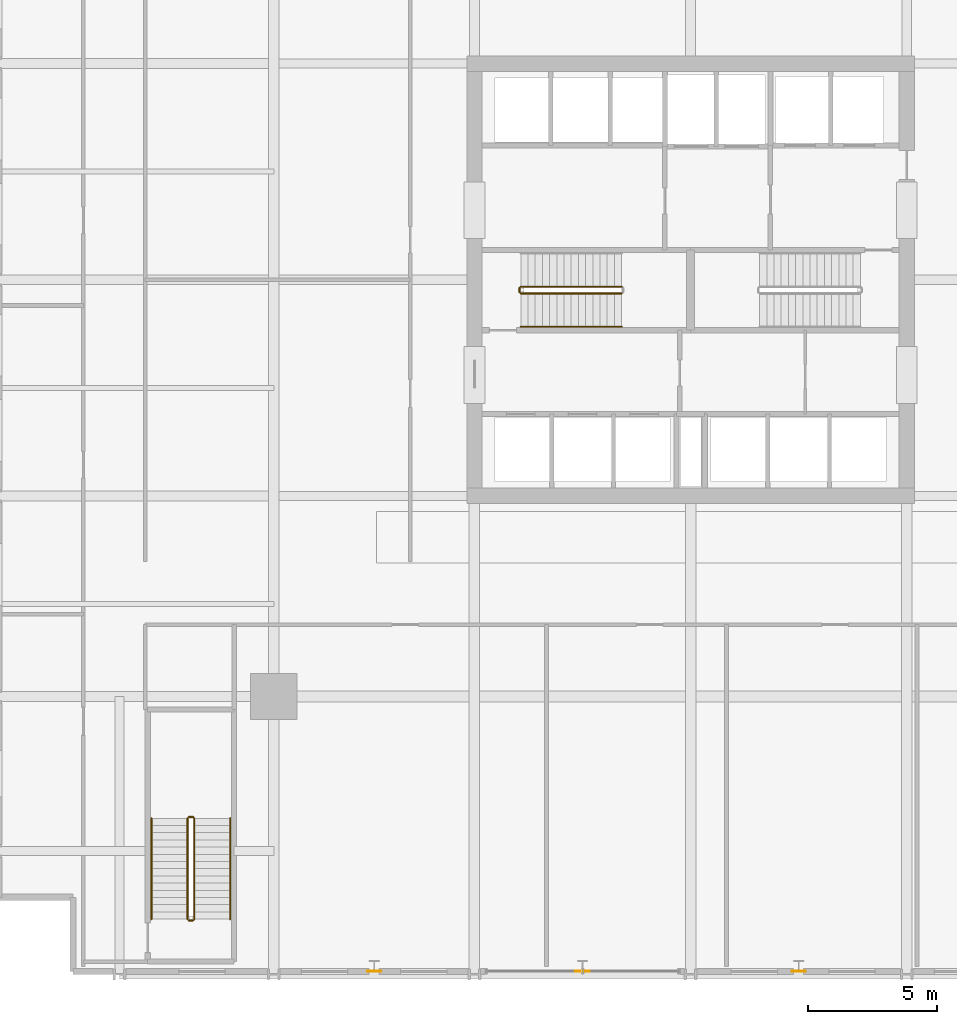
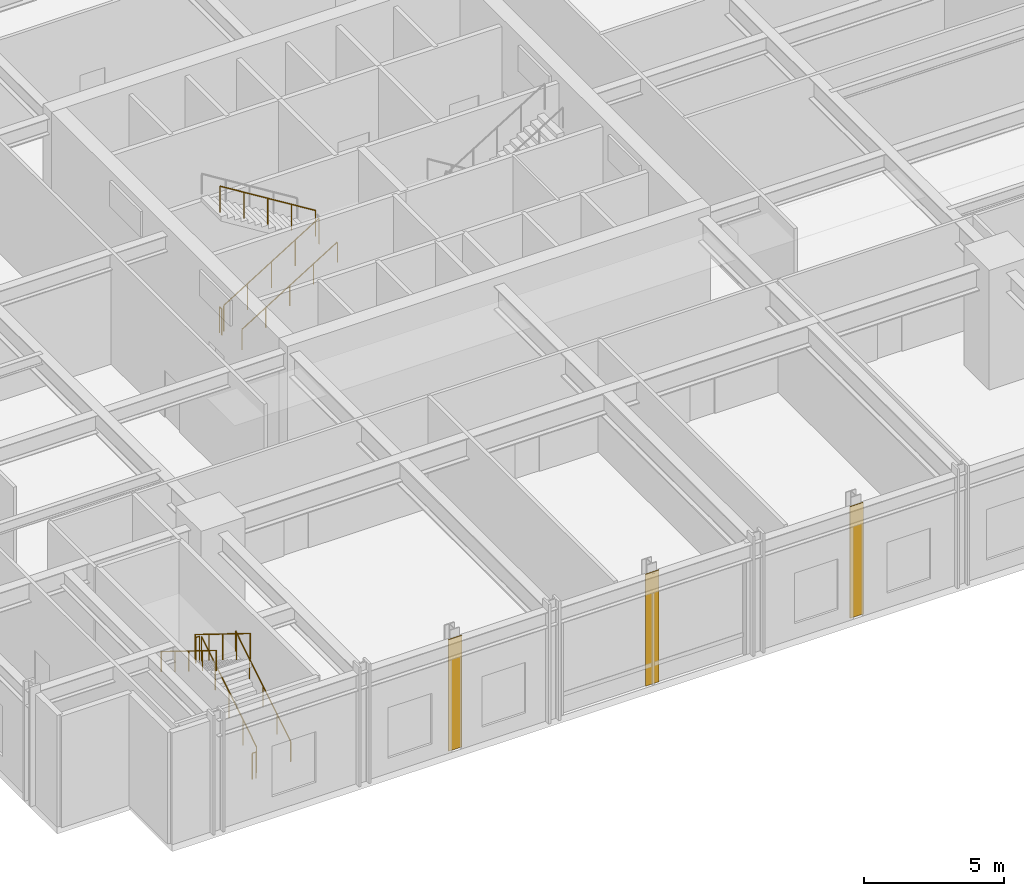
# One storey, part 16 of 21: 10 railings, 3 coverings.
"""IFC4 building model written with IfcOpenShell, lengths in metres."""

from ifc_helpers import new_model, si_unit, direction, frame, origin, origin_2d, place, context, subcontext, project, spatial, rectangle, circle, extrude, material, layer, layer_set, type_object, element, save


model = new_model("IFC4")

# Units and contexts
model_context = context("Model", 3, precision=1e-05, world=origin(), true_north=direction((0.0, 1.0)))
body_context = subcontext(model_context, "Body", "Model", "MODEL_VIEW")
ifc_project = project(units=[si_unit("LENGTHUNIT", "METRE"), si_unit("AREAUNIT", "SQUARE_METRE"), si_unit("VOLUMEUNIT", "CUBIC_METRE"), si_unit("PLANEANGLEUNIT", "RADIAN"), si_unit("MASSUNIT", "GRAM", prefix="KILO")], contexts=[model_context])

# Site, building, storey
site_placement = place(None, origin())
site = spatial("IfcSite", under=ifc_project, at=site_placement, CompositionType="ELEMENT")
building_placement = place(site_placement, origin())
building = spatial("IfcBuilding", under=site, at=building_placement, Name="Drelvath Grand Hotel", CompositionType="ELEMENT")
storey_placement = place(building_placement, frame((0.0, 0.0, 22.39990234375)))
storey = spatial("IfcBuildingStorey", under=building, at=storey_placement, Name="L04", CompositionType="ELEMENT", Elevation=22.39990234375)

# Coverings
ifc_material_1 = material(Name="Warm Bronze Anodised Aluminium Cladding", Category="aluminium")
ifc_layer = layer(ifc_material_1, 0.034912109375)
ifc_layer_set = layer_set([ifc_layer], Name="Warm Bronze Anodised Aluminium Cladding")
covering_type = type_object("IfcCoveringType", Name="Bronze Anodised Pier Cladding Panel 35", PredefinedType="CLADDING", material=ifc_layer_set)
for number, where, z_axis, x_axis, name in (
    (1, (-12.300048828125, 0.1201171875, 0.0), (0.0, 0.0, 1.0), (1.0, 0.0, 0.0), "L04 Colonnade Bronze Pier Cladding S1"),
    (2, (-4.199951171875, 0.1201171875, 0.0), (0.0, 0.0, 1.0), (1.0, 0.0, 0.0), "L04 Colonnade Bronze Pier Cladding S2"),
    (3, (4.199951171875, 0.1201171875, 0.0), (0.0, 0.0, 1.0), (1.0, 0.0, 0.0), "L04 Colonnade Bronze Pier Cladding S3"),
):
    element("IfcCovering", number, at=place(storey_placement, frame(where, z_axis=z_axis, x_axis=x_axis)), inside=storey, type_object=covering_type, Name=name, PredefinedType="CLADDING", context=body_context, shape_type="SweptSolid", body=[
        extrude(rectangle(XDim=0.550048828125, YDim=0.034912109375, at=origin_2d()), origin(), (0.0, 0.0, 1.0), 4.85009765625),
    ])

# Railings
ifc_material_2 = material(Name="Painted Steel S275", Category="steel")
railing_type_1 = type_object("IfcRailingType", Name="Core Stair Wall Handrail 900", PredefinedType="HANDRAIL", material=ifc_material_2)
railing_1_placement = place(storey_placement, frame((-6.60009765625, 25.169921875, 0.17333984375)))
element("IfcRailing", 4, at=railing_1_placement, inside=storey, type_object=railing_type_1, Name="L04 ST-1 stair handrail 1", PredefinedType="HANDRAIL", context=body_context, shape_type="SweptSolid", body=[
    extrude(circle(Radius=0.02392578125, at=origin_2d()), frame((0.0, 0.0, 0.8759765625), z_axis=(0.850266275192, 0.0, 0.526352791643), x_axis=(0.0, 1.0, 0.0)), (0.0, 0.0, 1.0), 4.610595703125),
    extrude(circle(Radius=0.02099609375, at=origin_2d()), origin(), (0.0, 0.0, 1.0), 0.851806640625),
    extrude(circle(Radius=0.02099609375, at=origin_2d()), frame((0.97998046875, 0.0, 0.606689453125)), (0.0, 0.0, 1.0), 0.851806640625),
    extrude(circle(Radius=0.02099609375, at=origin_2d()), frame((1.9599609375, 0.0, 1.21337890625)), (0.0, 0.0, 1.0), 0.851806640625),
    extrude(circle(Radius=0.02099609375, at=origin_2d()), frame((2.940185546875, 0.0, 1.820068359375)), (0.0, 0.0, 1.0), 0.851806640625),
    extrude(circle(Radius=0.02099609375, at=origin_2d()), frame((3.920166015625, 0.0, 2.4267578125)), (0.0, 0.0, 1.0), 0.851806640625),
])
railing_2_placement = place(storey_placement, frame((-17.889892578125, 2.14990234375, 0.17333984375)))
element("IfcRailing", 5, at=railing_2_placement, inside=storey, type_object=railing_type_1, Name="L04 ST-3 stair handrail 1", PredefinedType="HANDRAIL", context=body_context, shape_type="SweptSolid", body=[
    extrude(circle(Radius=0.02392578125, at=origin_2d()), frame((0.0, 0.0, 0.8759765625), z_axis=(0.0, 0.850266275192, 0.526352791643), x_axis=(-1.0, 0.0, 0.0)), (0.0, 0.0, 1.0), 4.610595703125),
    extrude(circle(Radius=0.02099609375, at=origin_2d()), origin(), (0.0, 0.0, 1.0), 0.851806640625),
    extrude(circle(Radius=0.02099609375, at=origin_2d()), frame((0.0, 0.97998046875, 0.606689453125)), (0.0, 0.0, 1.0), 0.851806640625),
    extrude(circle(Radius=0.02099609375, at=origin_2d()), frame((0.0, 1.9599609375, 1.21337890625)), (0.0, 0.0, 1.0), 0.851806640625),
    extrude(circle(Radius=0.02099609375, at=origin_2d()), frame((0.0, 2.940185546875, 1.820068359375)), (0.0, 0.0, 1.0), 0.851806640625),
    extrude(circle(Radius=0.02099609375, at=origin_2d()), frame((0.0, 3.920166015625, 2.4267578125)), (0.0, 0.0, 1.0), 0.851806640625),
])
railing_3_placement = place(storey_placement, frame((-20.949951171875, 6.070068359375, 2.7734375)))
element("IfcRailing", 6, at=railing_3_placement, inside=storey, type_object=railing_type_1, Name="L04 ST-3 stair handrail 2", PredefinedType="HANDRAIL", context=body_context, shape_type="SweptSolid", body=[
    extrude(circle(Radius=0.02392578125, at=origin_2d()), frame((0.0, 0.0, 0.8759765625), z_axis=(0.0, -0.850266275192, 0.526352791643), x_axis=(1.0, 0.0, 0.0)), (0.0, 0.0, 1.0), 4.610595703125),
    extrude(circle(Radius=0.02099609375, at=origin_2d()), origin(), (0.0, 0.0, 1.0), 0.851806640625),
    extrude(circle(Radius=0.02099609375, at=origin_2d()), frame((0.0, -0.97998046875, 0.606689453125)), (0.0, 0.0, 1.0), 0.851806640625),
    extrude(circle(Radius=0.02099609375, at=origin_2d()), frame((0.0, -1.9599609375, 1.21337890625)), (0.0, 0.0, 1.0), 0.851806640625),
    extrude(circle(Radius=0.02099609375, at=origin_2d()), frame((0.0, -2.940185546875, 1.820068359375)), (0.0, 0.0, 1.0), 0.851806640625),
    extrude(circle(Radius=0.02099609375, at=origin_2d()), frame((0.0, -3.920166015625, 2.4267578125)), (0.0, 0.0, 1.0), 0.851806640625),
])
railing_type_2 = type_object("IfcRailingType", Name="Core Stair Well Guardrail 1100", PredefinedType="GUARDRAIL", material=ifc_material_2)
railing_4_placement = place(storey_placement, frame((-6.60009765625, 26.469970703125, 0.17333984375)))
element("IfcRailing", 7, at=railing_4_placement, inside=storey, type_object=railing_type_2, Name="L04 ST-1 stair guard 1", PredefinedType="GUARDRAIL", context=body_context, shape_type="SweptSolid", body=[
    extrude(circle(Radius=0.02392578125, at=origin_2d()), frame((0.0, 0.0, 1.1259765625), z_axis=(0.850266275192, 0.0, 0.526352791643), x_axis=(0.0, 1.0, 0.0)), (0.0, 0.0, 1.0), 4.610595703125),
    extrude(circle(Radius=0.02099609375, at=origin_2d()), origin(), (0.0, 0.0, 1.0), 1.101806640625),
    extrude(circle(Radius=0.02099609375, at=origin_2d()), frame((0.97998046875, 0.0, 0.606689453125)), (0.0, 0.0, 1.0), 1.101806640625),
    extrude(circle(Radius=0.02099609375, at=origin_2d()), frame((1.9599609375, 0.0, 1.21337890625)), (0.0, 0.0, 1.0), 1.101806640625),
    extrude(circle(Radius=0.02099609375, at=origin_2d()), frame((2.940185546875, 0.0, 1.820068359375)), (0.0, 0.0, 1.0), 1.101806640625),
    extrude(circle(Radius=0.02099609375, at=origin_2d()), frame((3.920166015625, 0.0, 2.4267578125)), (0.0, 0.0, 1.0), 1.101806640625),
])
railing_5_placement = place(storey_placement, frame((-2.679931640625, 26.72998046875, 2.7734375)))
element("IfcRailing", 8, at=railing_5_placement, inside=storey, type_object=railing_type_2, Name="L04 ST-1 stair guard 3", PredefinedType="GUARDRAIL", context=body_context, shape_type="SweptSolid", body=[
    extrude(circle(Radius=0.02392578125, at=origin_2d()), frame((0.0, 0.0, 1.1259765625), z_axis=(-0.850266275192, 0.0, 0.526352791643), x_axis=(0.0, -1.0, 0.0)), (0.0, 0.0, 1.0), 4.610595703125),
    extrude(circle(Radius=0.02099609375, at=origin_2d()), origin(), (0.0, 0.0, 1.0), 1.101806640625),
    extrude(circle(Radius=0.02099609375, at=origin_2d()), frame((-0.97998046875, 0.0, 0.606689453125)), (0.0, 0.0, 1.0), 1.101806640625),
    extrude(circle(Radius=0.02099609375, at=origin_2d()), frame((-1.9599609375, 0.0, 1.21337890625)), (0.0, 0.0, 1.0), 1.101806640625),
    extrude(circle(Radius=0.02099609375, at=origin_2d()), frame((-2.940185546875, 0.0, 1.820068359375)), (0.0, 0.0, 1.0), 1.101806640625),
    extrude(circle(Radius=0.02099609375, at=origin_2d()), frame((-3.920166015625, 0.0, 2.4267578125)), (0.0, 0.0, 1.0), 1.101806640625),
])
railing_6_placement = place(storey_placement, frame((-6.64990234375, 26.52001953125, 0.0)))
element("IfcRailing", 9, at=railing_6_placement, inside=storey, type_object=railing_type_2, Name="L04 ST-1 stair guard 4", PredefinedType="GUARDRAIL", context=body_context, shape_type="SweptSolid", body=[
    extrude(circle(Radius=0.02392578125, at=origin_2d()), frame((0.0, 0.0, 1.1259765625), z_axis=(0.0, 1.0, 0.0), x_axis=(-1.0, 0.0, 0.0)), (0.0, 0.0, 1.0), 0.159912109375),
    extrude(circle(Radius=0.02099609375, at=origin_2d()), origin(), (0.0, 0.0, 1.0), 1.101806640625),
    extrude(circle(Radius=0.02099609375, at=origin_2d()), frame((0.0, 0.159912109375, 0.0)), (0.0, 0.0, 1.0), 1.101806640625),
])
railing_7_placement = place(storey_placement, frame((-19.2900390625, 2.14990234375, 0.17333984375)))
element("IfcRailing", 10, at=railing_7_placement, inside=storey, type_object=railing_type_2, Name="L04 ST-3 stair guard 1", PredefinedType="GUARDRAIL", context=body_context, shape_type="SweptSolid", body=[
    extrude(circle(Radius=0.02392578125, at=origin_2d()), frame((0.0, 0.0, 1.1259765625), z_axis=(0.0, 0.850266275192, 0.526352791643), x_axis=(-1.0, 0.0, 0.0)), (0.0, 0.0, 1.0), 4.610595703125),
    extrude(circle(Radius=0.02099609375, at=origin_2d()), origin(), (0.0, 0.0, 1.0), 1.101806640625),
    extrude(circle(Radius=0.02099609375, at=origin_2d()), frame((0.0, 0.97998046875, 0.606689453125)), (0.0, 0.0, 1.0), 1.101806640625),
    extrude(circle(Radius=0.02099609375, at=origin_2d()), frame((0.0, 1.9599609375, 1.21337890625)), (0.0, 0.0, 1.0), 1.101806640625),
    extrude(circle(Radius=0.02099609375, at=origin_2d()), frame((0.0, 2.940185546875, 1.820068359375)), (0.0, 0.0, 1.0), 1.101806640625),
    extrude(circle(Radius=0.02099609375, at=origin_2d()), frame((0.0, 3.920166015625, 2.4267578125)), (0.0, 0.0, 1.0), 1.101806640625),
])
railing_8_placement = place(storey_placement, frame((-19.340087890625, 6.1201171875, 2.60009765625)))
element("IfcRailing", 11, at=railing_8_placement, inside=storey, type_object=railing_type_2, Name="L04 ST-3 stair guard 2", PredefinedType="GUARDRAIL", context=body_context, shape_type="SweptSolid", body=[
    extrude(circle(Radius=0.02392578125, at=origin_2d()), frame((0.0, 0.0, 1.1259765625), z_axis=(-1.0, 0.0, 0.0), x_axis=(0.0, -1.0, 0.0)), (0.0, 0.0, 1.0), 0.159912109375),
    extrude(circle(Radius=0.02099609375, at=origin_2d()), origin(), (0.0, 0.0, 1.0), 1.101806640625),
    extrude(circle(Radius=0.02099609375, at=origin_2d()), frame((-0.159912109375, 0.0, 0.0)), (0.0, 0.0, 1.0), 1.101806640625),
])
railing_9_placement = place(storey_placement, frame((-19.550048828125, 6.070068359375, 2.7734375)))
element("IfcRailing", 12, at=railing_9_placement, inside=storey, type_object=railing_type_2, Name="L04 ST-3 stair guard 3", PredefinedType="GUARDRAIL", context=body_context, shape_type="SweptSolid", body=[
    extrude(circle(Radius=0.02392578125, at=origin_2d()), frame((0.0, 0.0, 1.1259765625), z_axis=(0.0, -0.850266275192, 0.526352791643), x_axis=(1.0, 0.0, 0.0)), (0.0, 0.0, 1.0), 4.610595703125),
    extrude(circle(Radius=0.02099609375, at=origin_2d()), origin(), (0.0, 0.0, 1.0), 1.101806640625),
    extrude(circle(Radius=0.02099609375, at=origin_2d()), frame((0.0, -0.97998046875, 0.606689453125)), (0.0, 0.0, 1.0), 1.101806640625),
    extrude(circle(Radius=0.02099609375, at=origin_2d()), frame((0.0, -1.9599609375, 1.21337890625)), (0.0, 0.0, 1.0), 1.101806640625),
    extrude(circle(Radius=0.02099609375, at=origin_2d()), frame((0.0, -2.940185546875, 1.820068359375)), (0.0, 0.0, 1.0), 1.101806640625),
    extrude(circle(Radius=0.02099609375, at=origin_2d()), frame((0.0, -3.920166015625, 2.4267578125)), (0.0, 0.0, 1.0), 1.101806640625),
])
railing_10_placement = place(storey_placement, frame((-19.340087890625, 2.10009765625, 0.0)))
element("IfcRailing", 13, at=railing_10_placement, inside=storey, type_object=railing_type_2, Name="L04 ST-3 stair guard 4", PredefinedType="GUARDRAIL", context=body_context, shape_type="SweptSolid", body=[
    extrude(circle(Radius=0.02392578125, at=origin_2d()), frame((0.0, 0.0, 1.1259765625), z_axis=(-1.0, 0.0, 0.0), x_axis=(0.0, -1.0, 0.0)), (0.0, 0.0, 1.0), 0.159912109375),
    extrude(circle(Radius=0.02099609375, at=origin_2d()), origin(), (0.0, 0.0, 1.0), 1.101806640625),
    extrude(circle(Radius=0.02099609375, at=origin_2d()), frame((-0.159912109375, 0.0, 0.0)), (0.0, 0.0, 1.0), 1.101806640625),
])

save(model, "model.ifc")
